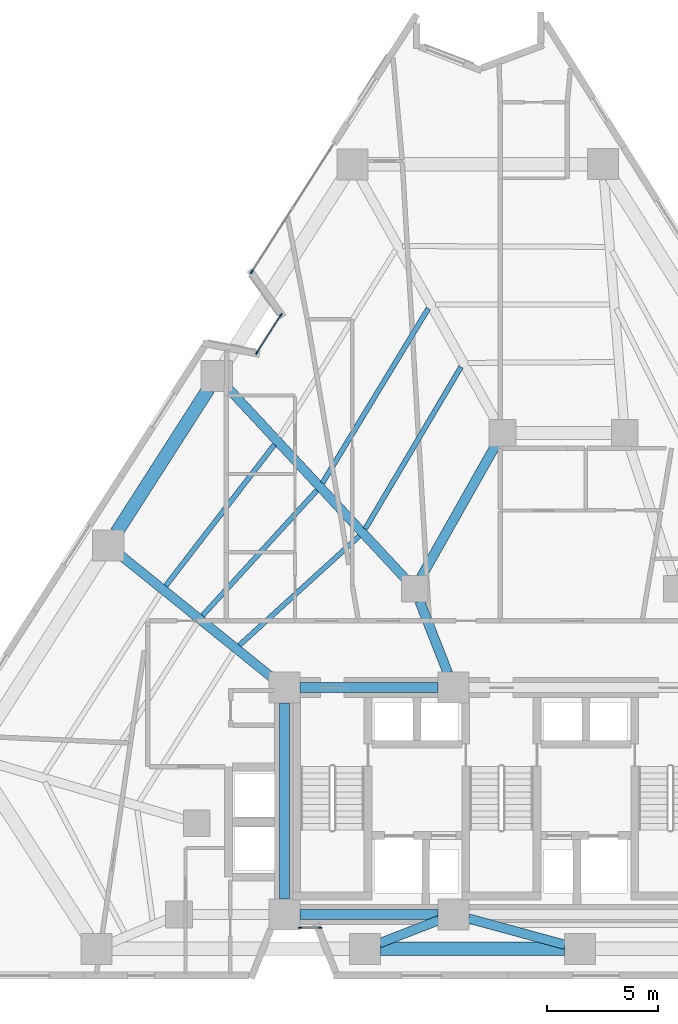
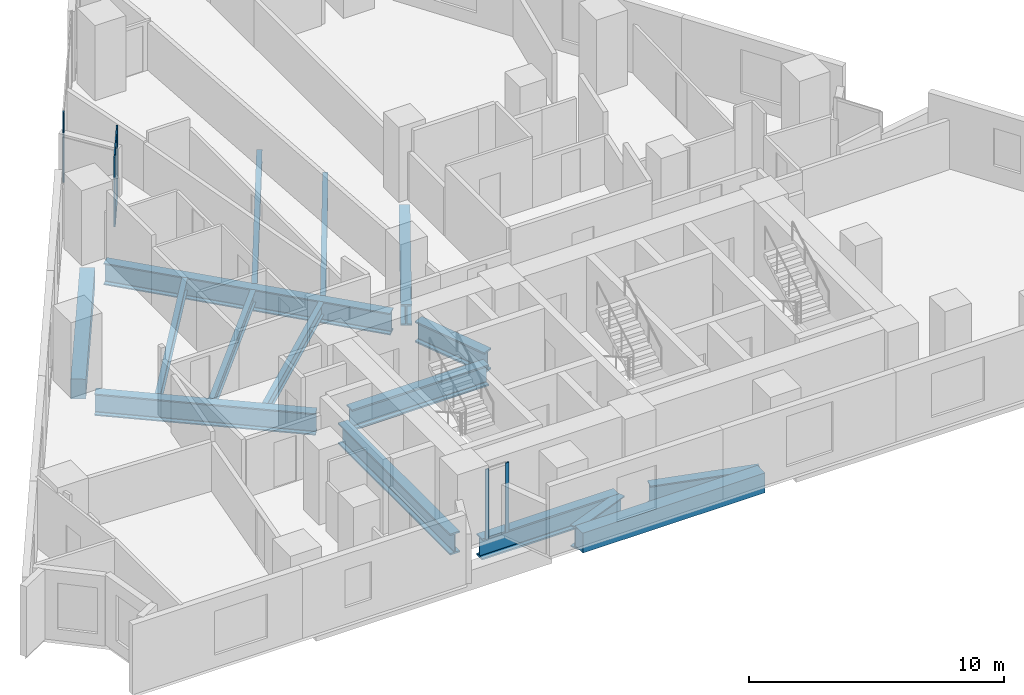
# One storey, part 2 of 12: 16 beams, 7 members, 3 elements without a shape of their own.
"""IFC4 building model written with IfcOpenShell, lengths in metres."""

import ifcopenshell
import ifcopenshell.guid

model = None  # the IFC model being written
_history = None  # IfcOwnerHistory: only IFC2X3 demands one
_inside = {}  # id of a spatial element -> (the spatial element, [elements in it])
_under = {}  # id of a project, library or spatial element -> (it, [spatial elements below it])
_declared = {}  # id of a project -> (the project, [libraries it declares])
_typed = {}  # id of a type object -> (the type object, [elements of that type])
_made_of = {}  # id of a material, layer set ... -> (it, [elements and type objects made of it])


def new_model(schema):
    """Start an empty IFC model of exactly this schema.

    Asked for "IFC4X3", IfcOpenShell would pick the latest addendum, in which some entities
    have other attributes; the version numbers below select the first issue.
    IFC2X3 requires an IfcOwnerHistory on every rooted entity: one is made here for all.
    """
    global model, _history
    if schema == "IFC4X3":
        model = ifcopenshell.file(schema_version=(4, 3, 0, 0))
    else:
        model = ifcopenshell.file(schema=schema)
    _inside.clear()
    _under.clear()
    _declared.clear()
    _typed.clear()
    _made_of.clear()
    _history = None
    if model.schema == "IFC2X3":
        org = make("IfcOrganization", Name="unknown")
        user = make(
            "IfcPersonAndOrganization",
            ThePerson=make("IfcPerson", FamilyName="unknown"),
            TheOrganization=org,
        )
        app = make(
            "IfcApplication",
            ApplicationDeveloper=org,
            Version="unknown",
            ApplicationFullName="unknown",
            ApplicationIdentifier="unknown",
        )
        _history = make(
            "IfcOwnerHistory",
            OwningUser=user,
            OwningApplication=app,
            ChangeAction="ADDED",
            CreationDate=0,
        )
    return model


def make(cls, **values):
    """One entity of the class cls with the attributes given. An attribute that is None is left unset."""
    return model.create_entity(
        cls, **{name: value for name, value in values.items() if value is not None}
    )


def rooted(cls, **values):
    """An entity with a GlobalId (a new one), such as an element, a storey or a relation."""
    return make(cls, GlobalId=ifcopenshell.guid.new(), OwnerHistory=_history, **values)


def si_unit(unit_type, name, prefix=None):
    """IfcSIUnit, for example si_unit("LENGTHUNIT", "METRE", prefix="MILLI")."""
    return make("IfcSIUnit", UnitType=unit_type, Prefix=prefix, Name=name)


def assignment(units):
    """IfcUnitAssignment: the units of a project."""
    return None if units is None else make("IfcUnitAssignment", Units=units)


def point(xyz):
    """IfcCartesianPoint."""
    return None if xyz is None else make("IfcCartesianPoint", Coordinates=xyz)


def direction(xyz):
    """IfcDirection."""
    return None if xyz is None else make("IfcDirection", DirectionRatios=xyz)


def frame(location, z_axis=None, x_axis=None):
    """IfcAxis2Placement3D, a coordinate frame: its origin and axes. An axis left out is left unset."""
    return make(
        "IfcAxis2Placement3D",
        Location=point(location),
        Axis=direction(z_axis),
        RefDirection=direction(x_axis),
    )


def frame_2d(location, x_axis=None):
    """IfcAxis2Placement2D, a coordinate frame in the plane: its origin and x axis."""
    return make(
        "IfcAxis2Placement2D", Location=point(location), RefDirection=direction(x_axis)
    )


def origin():
    """The frame at (0, 0, 0) with its axes left unset."""
    return frame((0.0, 0.0, 0.0))


def origin_2d():
    """The frame at (0, 0) in the plane with its x axis left unset."""
    return frame_2d((0.0, 0.0))


def place(relative_to, where):
    """IfcLocalPlacement: puts the frame where relative to a parent placement (None: the world)."""
    return make(
        "IfcLocalPlacement", PlacementRelTo=relative_to, RelativePlacement=where
    )


def context(
    kind, dimensions, precision=None, world=None, true_north=None, identifier=None
):
    """IfcGeometricRepresentationContext, for example the 3D "Model" context."""
    return make(
        "IfcGeometricRepresentationContext",
        ContextIdentifier=identifier,
        ContextType=kind,
        CoordinateSpaceDimension=dimensions,
        Precision=precision,
        WorldCoordinateSystem=world,
        TrueNorth=true_north,
    )


def subcontext(parent, identifier, kind, view, scale=None):
    """IfcGeometricRepresentationSubContext, for example "Body" below "Model"."""
    return make(
        "IfcGeometricRepresentationSubContext",
        ContextIdentifier=identifier,
        ContextType=kind,
        ParentContext=parent,
        TargetScale=scale,
        TargetView=view,
    )


def project(units=None, contexts=None):
    """IfcProject with its units and contexts."""
    return rooted(
        "IfcProject",
        Name="project",
        RepresentationContexts=contexts,
        UnitsInContext=assignment(units),
    )


def spatial(cls, under=None, at=None, **own):
    """A site, building, storey or space (cls), placed at a placement, below another one or the project."""
    s = rooted(cls, ObjectPlacement=at, **own)
    if under is not None:
        _under.setdefault(under.id(), (under, []))[1].append(s)
    return s


def profile(cls, at=None, kind="AREA", **sizes):
    """A parametric profile (cls). Its sizes go by their IFC names, for example OverallWidth=200.0."""
    return make(cls, ProfileType=kind, Position=at, **sizes)


def rectangle(**sizes):
    """IfcRectangleProfileDef."""
    return profile("IfcRectangleProfileDef", **sizes)


def i_section(**sizes):
    """IfcIShapeProfileDef."""
    return profile("IfcIShapeProfileDef", **sizes)


def extrude(swept, where, along, depth):
    """IfcExtrudedAreaSolid: the profile swept, set in the frame where, extruded along a direction by depth."""
    return make(
        "IfcExtrudedAreaSolid",
        SweptArea=swept,
        Position=where,
        ExtrudedDirection=direction(along),
        Depth=depth,
    )


def shape(context_of_items, identifier, shape_type, items):
    """IfcShapeRepresentation: the items that make up one representation, for example the "Body"."""
    return make(
        "IfcShapeRepresentation",
        ContextOfItems=context_of_items,
        RepresentationIdentifier=identifier,
        RepresentationType=shape_type,
        Items=items,
    )


def material(Name=None, Category=None):
    """IfcMaterial."""
    return make("IfcMaterial", Name=Name, Category=Category)


def layer(
    of_material, thickness, ventilated=None, Name=None, Category=None, Priority=None
):
    """IfcMaterialLayer: one layer of a wall or slab, of a material (None: an air gap)."""
    return make(
        "IfcMaterialLayer",
        Material=of_material,
        LayerThickness=thickness,
        IsVentilated=ventilated,
        Name=Name,
        Category=Category,
        Priority=Priority,
    )


def layer_set(layers, Name=None):
    """IfcMaterialLayerSet."""
    return make("IfcMaterialLayerSet", MaterialLayers=layers, LayerSetName=Name)


def material_profile(
    of_material, cross_section, Name=None, Category=None, Priority=None
):
    """IfcMaterialProfile: a cross section and its material."""
    return make(
        "IfcMaterialProfile",
        Name=Name,
        Material=of_material,
        Profile=cross_section,
        Priority=Priority,
        Category=Category,
    )


def profile_set(profiles, Name=None, composite=None):
    """IfcMaterialProfileSet."""
    return make(
        "IfcMaterialProfileSet",
        Name=Name,
        MaterialProfiles=profiles,
        CompositeProfile=composite,
    )


def made_of(thing, what):
    """Note that an element or type object is made of a material, layer set ...; save() writes the relation."""
    if what is not None:
        _made_of.setdefault(what.id(), (what, []))[1].append(thing)
    return thing


def type_object(cls, material=None, **own):
    """A type object (cls), such as IfcWallType, which elements share."""
    return made_of(rooted(cls, **own), material)


def element(
    cls,
    number,
    at=None,
    inside=None,
    cuts=None,
    type_object=None,
    material=None,
    context=None,
    identifier="Body",
    shape_type=None,
    held_by="IfcProductDefinitionShape",
    body=None,
    shapes=None,
    **own,
):
    """One element of the class cls, such as IfcWall. Its Tag is "e" and its number.

    at: its placement. inside: the storey or other place that contains it. cuts: it is an
    opening in that element (IfcRelVoidsElement). A single representation is given by context,
    identifier, shape_type and body (its items); several are given by shapes. held_by: the class
    of the entity that holds the representations. save() writes the other relations.
    """
    e = rooted(cls, Tag="e%d" % number, ObjectPlacement=at, **own)
    if body is not None:
        shapes = [shape(context, identifier, shape_type, body)]
    if shapes is not None:
        e.Representation = make(held_by, Representations=shapes)
    if inside is not None:
        _inside.setdefault(inside.id(), (inside, []))[1].append(e)
    if cuts is not None:
        rooted(
            "IfcRelVoidsElement", RelatingBuildingElement=cuts, RelatedOpeningElement=e
        )
    if type_object is not None:
        _typed.setdefault(type_object.id(), (type_object, []))[1].append(e)
    return made_of(e, material)


def aggregate(whole, parts):
    """IfcRelAggregates: a whole, such as a stair, and the parts it consists of."""
    return rooted("IfcRelAggregates", RelatingObject=whole, RelatedObjects=parts)


def save(model, path):
    """Write the relations noted so far, then the file.

    IfcRelAggregates (storeys below a building ...), IfcRelContainedInSpatialStructure (elements
    in a storey), IfcRelDefinesByType, IfcRelAssociatesMaterial and IfcRelDeclares: one each for
    every whole, place, type object, material and project.
    """
    for whole, parts in _under.values():
        aggregate(whole, parts)
    for where, things in _inside.values():
        rooted(
            "IfcRelContainedInSpatialStructure",
            RelatedElements=things,
            RelatingStructure=where,
        )
    for kind, things in _typed.values():
        rooted("IfcRelDefinesByType", RelatedObjects=things, RelatingType=kind)
    for what, things in _made_of.values():
        rooted("IfcRelAssociatesMaterial", RelatedObjects=things, RelatingMaterial=what)
    for by, libraries in _declared.values():
        rooted("IfcRelDeclares", RelatingContext=by, RelatedDefinitions=libraries)
    model.write(path)


model = new_model("IFC4")

# Units and contexts
model_context = context("Model", 3, precision=1e-05, world=origin(), true_north=direction((0.0, 1.0)))
body_context = subcontext(model_context, "Body", "Model", "MODEL_VIEW")
ifc_project = project(units=[si_unit("LENGTHUNIT", "METRE"), si_unit("AREAUNIT", "SQUARE_METRE"), si_unit("VOLUMEUNIT", "CUBIC_METRE"), si_unit("PLANEANGLEUNIT", "RADIAN"), si_unit("MASSUNIT", "GRAM", prefix="KILO")], contexts=[model_context])

# Site, building, storey
site_placement = place(None, origin())
site = spatial("IfcSite", under=ifc_project, at=site_placement, CompositionType="ELEMENT")
building_placement = place(site_placement, origin())
building = spatial("IfcBuilding", under=site, at=building_placement, Name="Almagre Mirador Tower", CompositionType="ELEMENT")
storey_placement = place(building_placement, frame((0.0, 0.0, 64.199951171875)))
storey = spatial("IfcBuildingStorey", under=building, at=storey_placement, Name="L15", CompositionType="ELEMENT", Elevation=64.199951171875)

# Beams
ifc_material_1 = material(Name="Steel ASTM A992 Grade 50", Category="steel")
ifc_material_profile_1 = material_profile(ifc_material_1, i_section(OverallWidth=0.22802734375, OverallDepth=0.60791015625, WebThickness=0.01123046875, FlangeThickness=0.017333984375, FilletRadius=0.02001953125, at=origin_2d()), Name="W24X76")
ifc_profile_set_1 = profile_set([ifc_material_profile_1], Name="Steel ASTM A992 Grade 50")
beam_type_1 = type_object("IfcBeamType", Name="BM-JST-W24X76", PredefinedType="JOIST", material=ifc_profile_set_1)
beam_1_placement = place(storey_placement, frame((34.012939453125, 31.798828125, -0.553955078125), z_axis=(-0.51858522913, -0.855025941202, 0.0), x_axis=(0.855025941202, -0.51858522913, 0.0)))
element("IfcBeam", 1, at=beam_1_placement, inside=storey, type_object=beam_type_1, Name="L15 secondary floor joist PC09-PC10.2", PredefinedType="JOIST", context=body_context, shape_type="SweptSolid", body=[
    extrude(i_section(OverallWidth=0.22802734375, OverallDepth=0.60791015625, WebThickness=0.01123046875, FlangeThickness=0.017333984375, FilletRadius=0.02001953125, at=origin_2d()), origin(), (0.0, 0.0, 1.0), 9.178955078125),
])
beam_2_placement = place(storey_placement, frame((35.48291015625, 29.17041015625, -0.553955078125), z_axis=(-0.509081080746, -0.860718567957, 0.0), x_axis=(0.860718567957, -0.509081080746, 0.0)))
element("IfcBeam", 2, at=beam_2_placement, inside=storey, type_object=beam_type_1, Name="L15 secondary floor joist PC09-PC10.3", PredefinedType="JOIST", context=body_context, shape_type="SweptSolid", body=[
    extrude(i_section(OverallWidth=0.22802734375, OverallDepth=0.60791015625, WebThickness=0.01123046875, FlangeThickness=0.017333984375, FilletRadius=0.02001953125, at=origin_2d()), origin(), (0.0, 0.0, 1.0), 8.46337890625),
])
beam_3_placement = place(storey_placement, frame((27.093017578125, 25.672119140625, -0.553955078125), z_axis=(-0.610045173771, -0.792366636071, 0.0), x_axis=(0.792366636071, -0.610045173771, 0.0)))
element("IfcBeam", 3, at=beam_3_placement, inside=storey, type_object=beam_type_1, Name="L15 secondary floor joist PC10-PC11.1", PredefinedType="JOIST", context=body_context, shape_type="SweptSolid", body=[
    extrude(i_section(OverallWidth=0.22802734375, OverallDepth=0.60791015625, WebThickness=0.01123046875, FlangeThickness=0.017333984375, FilletRadius=0.02001953125, at=origin_2d()), origin(), (0.0, 0.0, 1.0), 8.007568359375),
])
beam_4_placement = place(storey_placement, frame((29.0029296875, 23.6171875, -0.553955078125), z_axis=(-0.674525341374, -0.738251694102, 0.0), x_axis=(0.738251694102, -0.674525341374, 0.0)))
element("IfcBeam", 4, at=beam_4_placement, inside=storey, type_object=beam_type_1, Name="L15 secondary floor joist PC10-PC11.2", PredefinedType="JOIST", context=body_context, shape_type="SweptSolid", body=[
    extrude(i_section(OverallWidth=0.22802734375, OverallDepth=0.60791015625, WebThickness=0.01123046875, FlangeThickness=0.017333984375, FilletRadius=0.02001953125, at=origin_2d()), origin(), (0.0, 0.0, 1.0), 7.6201171875),
])
beam_5_placement = place(storey_placement, frame((30.912841796875, 21.564453125, -0.553955078125), z_axis=(-0.739528010183, -0.673125784794, 0.0), x_axis=(0.673125784794, -0.739528010183, 0.0)))
element("IfcBeam", 5, at=beam_5_placement, inside=storey, type_object=beam_type_1, Name="L15 secondary floor joist PC10-PC11.3", PredefinedType="JOIST", context=body_context, shape_type="SweptSolid", body=[
    extrude(i_section(OverallWidth=0.22802734375, OverallDepth=0.60791015625, WebThickness=0.01123046875, FlangeThickness=0.017333984375, FilletRadius=0.02001953125, at=origin_2d()), origin(), (0.0, 0.0, 1.0), 7.294677734375),
])
ifc_material_2 = material(Name="Precast concrete C50/60", Category="concrete")
ifc_material_profile_2 = material_profile(ifc_material_2, rectangle(XDim=0.60009765625, YDim=0.949951171875, at=origin_2d()), Name="RC600X950")
ifc_profile_set_2 = profile_set([ifc_material_profile_2], Name="Precast concrete C50/60")
beam_type_2 = type_object("IfcBeamType", Name="BM-SPN-RC600X950", PredefinedType="SPANDREL", material=ifc_profile_set_2)
beam_6_placement = place(storey_placement, frame((31.867919921875, 3.0, -0.724853515625), z_axis=(1.0, 0.0, 0.0), x_axis=(0.0, 1.0, 0.0)))
element("IfcBeam", 6, at=beam_6_placement, inside=storey, type_object=beam_type_2, Name="L15 perimeter spandrel beam PC02-PC03", PredefinedType="SPANDREL", context=body_context, shape_type="SweptSolid", body=[
    extrude(rectangle(XDim=0.60009765625, YDim=0.949951171875, at=origin_2d()), origin(), (0.0, 0.0, 1.0), 8.26416015625),
])
beam_7_placement = place(storey_placement, frame((24.122314453125, 28.171630859375, -0.724853515625), z_axis=(-0.539486777129, -0.841994072012, 0.0), x_axis=(0.841994072012, -0.539486777129, 0.0)))
element("IfcBeam", 7, at=beam_7_placement, inside=storey, type_object=beam_type_2, Name="L15 perimeter spandrel beam PC10-PC11", PredefinedType="SPANDREL", context=body_context, shape_type="SweptSolid", body=[
    extrude(rectangle(XDim=0.60009765625, YDim=0.949951171875, at=origin_2d()), origin(), (0.0, 0.0, 1.0), 7.645263671875),
])
ifc_material_3 = material(Name="Steel ASTM A992 Grade 50", Category="steel")
ifc_material_profile_3 = material_profile(ifc_material_3, i_section(OverallWidth=0.43701171875, OverallDepth=1.010986328125, WebThickness=0.041015625, FlangeThickness=0.073974609375, FilletRadius=0.028076171875, at=origin_2d()), Name="W36X529")
ifc_profile_set_3 = profile_set([ifc_material_profile_3], Name="Steel ASTM A992 Grade 50")
beam_type_3 = type_object("IfcBeamType", Name="BM-STL-W36X529", PredefinedType="BEAM", material=ifc_profile_set_3)
for number, where, z_axis, x_axis, name in (
    (8, (28.25, 4.550048828125, -0.75537109375), (1.0, 0.0, 0.0), (0.0, 1.0, 0.0), "L15 core tie girder CC1-CC2"),
    (9, (28.25, 14.75, -0.75537109375), (1.0, 0.0, 0.0), (0.0, 1.0, 0.0), "L15 core tie girder CC4-CC5"),
):
    element("IfcBeam", number, at=place(storey_placement, frame(where, z_axis=z_axis, x_axis=x_axis)), inside=storey, type_object=beam_type_3, Name=name, PredefinedType="BEAM", context=body_context, shape_type="SweptSolid", body=[
        extrude(i_section(OverallWidth=0.43701171875, OverallDepth=1.010986328125, WebThickness=0.041015625, FlangeThickness=0.073974609375, FilletRadius=0.028076171875, at=origin_2d()), origin(), (0.0, 0.0, 1.0), 6.199951171875),
    ])
beam_8_placement = place(storey_placement, frame((27.550048828125, 5.25, -0.75537109375), z_axis=(0.0, 1.0, 0.0), x_axis=(-1.0, 0.0, 0.0)))
element("IfcBeam", 10, at=beam_8_placement, inside=storey, type_object=beam_type_3, Name="L15 core tie girder CC1-CC4", PredefinedType="BEAM", context=body_context, shape_type="SweptSolid", body=[
    extrude(i_section(OverallWidth=0.43701171875, OverallDepth=1.010986328125, WebThickness=0.041015625, FlangeThickness=0.073974609375, FilletRadius=0.028076171875, at=origin_2d()), origin(), (0.0, 0.0, 1.0), 8.800048828125),
])
beam_9_placement = place(storey_placement, frame((37.05517578125, 25.677490234375, -0.75537109375), z_axis=(-0.491440637516, -0.870911074564, 0.0), x_axis=(0.870911074564, -0.491440637516, 0.0)))
element("IfcBeam", 11, at=beam_9_placement, inside=storey, type_object=beam_type_3, Name="L15 core tie girder MC7-MC8", PredefinedType="BEAM", context=body_context, shape_type="SweptSolid", body=[
    extrude(i_section(OverallWidth=0.43701171875, OverallDepth=1.010986328125, WebThickness=0.041015625, FlangeThickness=0.073974609375, FilletRadius=0.028076171875, at=origin_2d()), origin(), (0.0, 0.0, 1.0), 6.837646484375),
])
beam_10_placement = place(storey_placement, frame((33.61962890625, 18.6416015625, -0.75537109375), z_axis=(0.365956076985, -0.93063212373, 0.0), x_axis=(0.93063212373, 0.365956076985, 0.0)))
element("IfcBeam", 12, at=beam_10_placement, inside=storey, type_object=beam_type_3, Name="L15 core tie girder MC8-CC5", PredefinedType="BEAM", context=body_context, shape_type="SweptSolid", body=[
    extrude(i_section(OverallWidth=0.43701171875, OverallDepth=1.010986328125, WebThickness=0.041015625, FlangeThickness=0.073974609375, FilletRadius=0.028076171875, at=origin_2d()), origin(), (0.0, 0.0, 1.0), 3.481689453125),
])
ifc_material_4 = material(Name="Steel ASTM A913 Grade 65", Category="steel")
ifc_material_profile_4 = material_profile(ifc_material_4, i_section(OverallWidth=0.4189453125, OverallDepth=1.041015625, WebThickness=0.031005859375, FlangeThickness=0.055908203125, FilletRadius=0.030029296875, at=origin_2d()), Name="W40X397")
ifc_profile_set_4 = profile_set([ifc_material_profile_4], Name="Steel ASTM A913 Grade 65")
beam_type_4 = type_object("IfcBeamType", Name="BM-STL-W40X397", PredefinedType="BEAM", material=ifc_profile_set_4)
beam_11_placement = place(storey_placement, frame((31.8203125, 3.25390625, -0.7705078125), z_axis=(0.931888214073, 0.362745580913, 0.0), x_axis=(-0.362745580913, 0.931888214073, 0.0)))
element("IfcBeam", 13, at=beam_11_placement, inside=storey, type_object=beam_type_4, Name="L15 radial floor girder PC02-CC2", PredefinedType="BEAM", context=body_context, shape_type="SweptSolid", body=[
    extrude(i_section(OverallWidth=0.4189453125, OverallDepth=1.041015625, WebThickness=0.031005859375, FlangeThickness=0.055908203125, FilletRadius=0.030029296875, at=origin_2d()), origin(), (0.0, 0.0, 1.0), 2.873291015625),
])
beam_12_placement = place(storey_placement, frame((40.15673828125, 3.18408203125, -0.7705078125), z_axis=(-0.964746251324, 0.263181820336, 0.0), x_axis=(-0.263181820336, -0.964746251324, 0.0)))
element("IfcBeam", 14, at=beam_12_placement, inside=storey, type_object=beam_type_4, Name="L15 radial floor girder PC03-CC2", PredefinedType="BEAM", context=body_context, shape_type="SweptSolid", body=[
    extrude(i_section(OverallWidth=0.4189453125, OverallDepth=1.041015625, WebThickness=0.031005859375, FlangeThickness=0.055908203125, FilletRadius=0.030029296875, at=origin_2d()), origin(), (0.0, 0.0, 1.0), 4.48974609375),
])
beam_13_placement = place(storey_placement, frame((24.976806640625, 28.24853515625, -0.7705078125), z_axis=(0.681362933779, -0.731945730551, 0.0), x_axis=(0.731945730551, 0.681362933779, 0.0)))
element("IfcBeam", 15, at=beam_13_placement, inside=storey, type_object=beam_type_4, Name="L15 radial floor girder PC10-MC8", PredefinedType="BEAM", context=body_context, shape_type="SweptSolid", body=[
    extrude(i_section(OverallWidth=0.4189453125, OverallDepth=1.041015625, WebThickness=0.031005859375, FlangeThickness=0.055908203125, FilletRadius=0.030029296875, at=origin_2d()), origin(), (0.0, 0.0, 1.0), 11.76220703125),
])
beam_14_placement = place(storey_placement, frame((20.164794921875, 20.70556640625, -0.7705078125), z_axis=(0.778428805214, -0.627732901171, 0.0), x_axis=(0.627732901171, 0.778428805214, 0.0)))
element("IfcBeam", 16, at=beam_14_placement, inside=storey, type_object=beam_type_4, Name="L15 radial floor girder PC11-CC4", PredefinedType="BEAM", context=body_context, shape_type="SweptSolid", body=[
    extrude(i_section(OverallWidth=0.4189453125, OverallDepth=1.041015625, WebThickness=0.031005859375, FlangeThickness=0.055908203125, FilletRadius=0.030029296875, at=origin_2d()), origin(), (0.0, 0.0, 1.0), 8.787353515625),
])

# Curtain wall, members
ifc_material_5 = material(Name="Black anodized aluminium", Category="aluminium")
ifc_layer_1 = layer(ifc_material_5, 0.169921875)
ifc_layer_set_1 = layer_set([ifc_layer_1], Name="Black anodized aluminium")
curtain_wall_type_1 = type_object("IfcCurtainWallType", Name="CW-CRS-SYS", PredefinedType="NOTDEFINED", material=ifc_layer_set_1)
curtain_wall_1_placement = place(storey_placement, origin())
curtain_wall_1 = element("IfcCurtainWall", 17, at=curtain_wall_1_placement, inside=storey, type_object=curtain_wall_type_1, Name="L15 vertical crease curtain wall 01", PredefinedType="NOTDEFINED")
ifc_material_6 = material(Name="Black anodized aluminium", Category="aluminium")
ifc_material_profile_5 = material_profile(ifc_material_6, rectangle(XDim=0.06005859375, YDim=0.14990234375, at=origin_2d()), Name="CWM60X150")
ifc_profile_set_5 = profile_set([ifc_material_profile_5], Name="Black anodized aluminium")
member_type_1 = type_object("IfcMemberType", Name="MBR-CWM60X150", PredefinedType="MULLION", material=ifc_profile_set_5)
member_1_placement = place(storey_placement, frame((26.295166015625, 29.80029296875, 0.0), z_axis=(0.0, 0.0, 1.0), x_axis=(-0.842141027103, 0.539257350873, 0.0)))
member_1 = element("IfcMember", 18, at=member_1_placement, type_object=member_type_1, Name="CW-4 mullion 1", PredefinedType="MULLION", context=body_context, shape_type="SweptSolid", body=[
    extrude(rectangle(XDim=0.06005859375, YDim=0.14990234375, at=origin_2d()), origin(), (0.0, 0.0, 1.0), 3.35009765625),
])
member_2_placement = place(storey_placement, frame((27.389892578125, 31.509765625, 0.0), z_axis=(0.0, 0.0, 1.0), x_axis=(-0.842141027103, 0.539257350873, 0.0)))
member_2 = element("IfcMember", 19, at=member_2_placement, type_object=member_type_1, Name="CW-4 mullion 2", PredefinedType="MULLION", context=body_context, shape_type="SweptSolid", body=[
    extrude(rectangle(XDim=0.06005859375, YDim=0.14990234375, at=origin_2d()), origin(), (0.0, 0.0, 1.0), 3.35009765625),
])

curtain_wall_2_placement = place(storey_placement, origin())
curtain_wall_2 = element("IfcCurtainWall", 20, at=curtain_wall_2_placement, inside=storey, type_object=curtain_wall_type_1, Name="L15 vertical crease curtain wall 04", PredefinedType="NOTDEFINED")
member_3_placement = place(storey_placement, frame((29.155029296875, 3.949951171875, 0.0), z_axis=(0.0, 0.0, 1.0), x_axis=(0.0, -1.0, 0.0)))
member_3 = element("IfcMember", 21, at=member_3_placement, type_object=member_type_1, Name="CW-4 mullion 1", PredefinedType="MULLION", context=body_context, shape_type="SweptSolid", body=[
    extrude(rectangle(XDim=0.06005859375, YDim=0.14990234375, at=origin_2d()), origin(), (0.0, 0.0, 1.0), 3.35009765625),
])
member_4_placement = place(storey_placement, frame((28.241943359375, 3.949951171875, 0.0), z_axis=(0.0, 0.0, 1.0), x_axis=(0.0, -1.0, 0.0)))
member_4 = element("IfcMember", 22, at=member_4_placement, type_object=member_type_1, Name="CW-4 mullion 2", PredefinedType="MULLION", context=body_context, shape_type="SweptSolid", body=[
    extrude(rectangle(XDim=0.06005859375, YDim=0.14990234375, at=origin_2d()), origin(), (0.0, 0.0, 1.0), 3.35009765625),
])
aggregate(curtain_wall_2, [member_3, member_4])

# Curtain wall, member
ifc_material_7 = material(Name="Black anodized aluminium", Category="aluminium")
ifc_layer_2 = layer(ifc_material_7, 0.18994140625)
ifc_layer_set_2 = layer_set([ifc_layer_2], Name="Black anodized aluminium")
curtain_wall_type_2 = type_object("IfcCurtainWallType", Name="CW-RES-L-SYS", PredefinedType="NOTDEFINED", material=ifc_layer_set_2)
curtain_wall_3_placement = place(storey_placement, origin())
curtain_wall_3 = element("IfcCurtainWall", 23, at=curtain_wall_3_placement, inside=storey, type_object=curtain_wall_type_2, Name="L15 curtain wall run 02", PredefinedType="NOTDEFINED")
ifc_material_8 = material(Name="Black anodized aluminium", Category="aluminium")
ifc_material_profile_6 = material_profile(ifc_material_8, rectangle(XDim=0.06494140625, YDim=0.179931640625, at=origin_2d()), Name="CWM65X180")
ifc_profile_set_6 = profile_set([ifc_material_profile_6], Name="Black anodized aluminium")
member_type_2 = type_object("IfcMemberType", Name="MBR-CWM65X180", PredefinedType="MULLION", material=ifc_profile_set_6)
member_5_placement = place(storey_placement, frame((26.074462890625, 33.4423828125, 0.0), z_axis=(0.0, 0.0, 1.0), x_axis=(-0.841957719355, 0.539543509662, 0.0)))
member_5 = element("IfcMember", 24, at=member_5_placement, type_object=member_type_2, Name="CW-2 mullion 1", PredefinedType="MULLION", context=body_context, shape_type="SweptSolid", body=[
    extrude(rectangle(XDim=0.06494140625, YDim=0.179931640625, at=origin_2d()), origin(), (0.0, 0.0, 1.0), 3.35009765625),
])
aggregate(curtain_wall_3, [member_5])

# Member
ifc_material_9 = material(Name="Black anodized aluminium", Category="aluminium")
ifc_material_profile_7 = material_profile(ifc_material_9, rectangle(XDim=0.06005859375, YDim=0.1298828125, at=origin_2d()), Name="CWT60X130")
ifc_profile_set_7 = profile_set([ifc_material_profile_7], Name="Black anodized aluminium")
member_type_3 = type_object("IfcMemberType", Name="MBR-CWT60X130", PredefinedType="USERDEFINED", material=ifc_profile_set_7)
member_6_placement = place(storey_placement, frame((26.311279296875, 29.825439453125, 0.030029296875), z_axis=(0.539247112967, 0.842147582765, 0.0), x_axis=(-0.842147582765, 0.539247112967, 0.0)))
member_6 = element("IfcMember", 25, at=member_6_placement, type_object=member_type_3, Name="CW-4 transom 1.1", ObjectType="TRANSOM", PredefinedType="USERDEFINED", context=body_context, shape_type="SweptSolid", body=[
    extrude(rectangle(XDim=0.06005859375, YDim=0.1298828125, at=origin_2d()), origin(), (0.0, 0.0, 1.0), 1.969970703125),
])

member_7_placement = place(storey_placement, frame((26.311279296875, 29.825439453125, 3.320068359375), z_axis=(0.539247112967, 0.842147582765, 0.0), x_axis=(-0.842147582765, 0.539247112967, 0.0)))
member_7 = element("IfcMember", 26, at=member_7_placement, type_object=member_type_3, Name="CW-4 transom 1.2", ObjectType="TRANSOM", PredefinedType="USERDEFINED", context=body_context, shape_type="SweptSolid", body=[
    extrude(rectangle(XDim=0.06005859375, YDim=0.1298828125, at=origin_2d()), origin(), (0.0, 0.0, 1.0), 1.969970703125),
])

aggregate(curtain_wall_1, [member_1, member_2, member_6, member_7])

save(model, "model.ifc")
